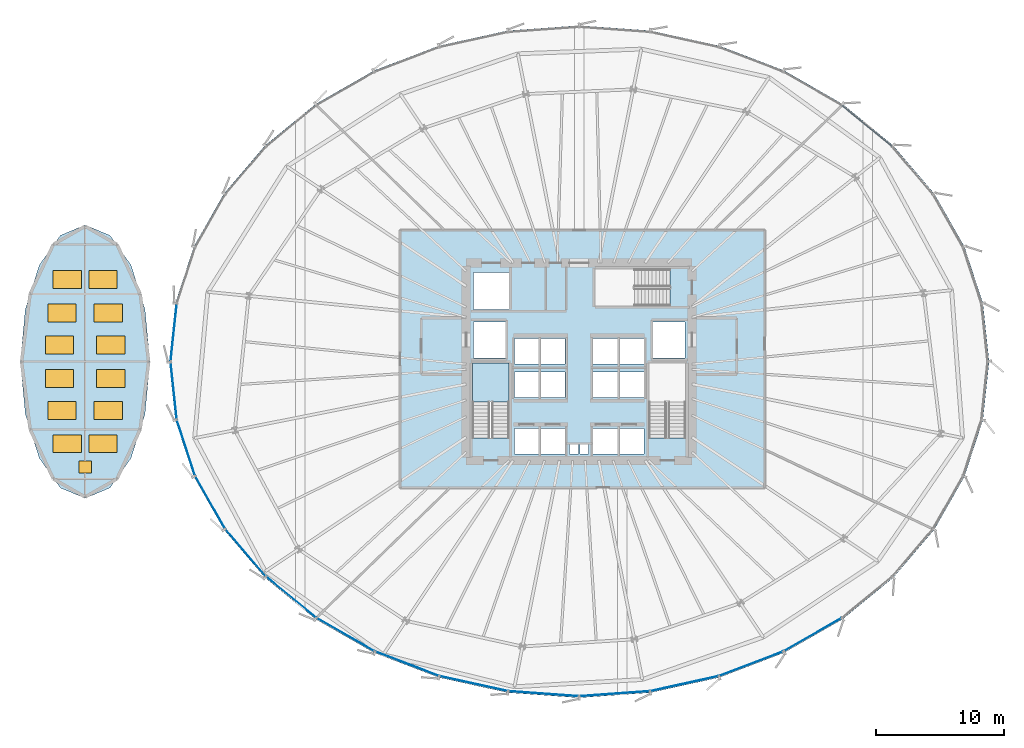
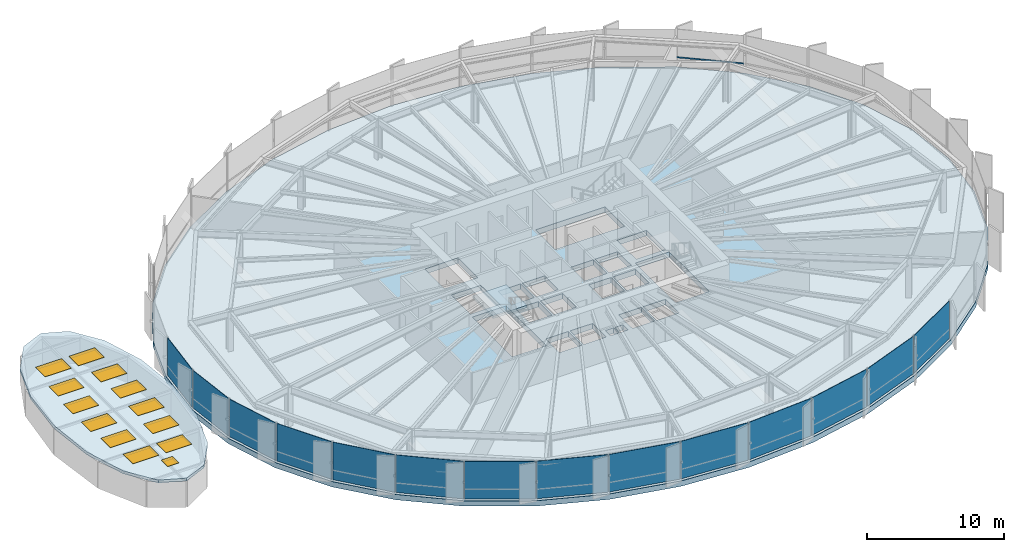
# One storey, part 26 of 38: 14 plates, 12 windows, 3 slabs, 1 door, 1 member, 13 openings, 6 elements without a shape of their own.
"""IFC4 building model written with IfcOpenShell, lengths in metres."""

from ifc_helpers import new_model, si_unit, direction, frame, origin, origin_2d, place, context, subcontext, project, spatial, polyline, rectangle, hollow_rectangle, outline, extrude, source, transform, mapped, material, layer, layer_set, material_profile, profile_set, type_object, element, fill, aggregate, save


model = new_model("IFC4")

# Units and contexts
model_context = context("Model", 3, precision=1e-05, world=origin(), true_north=direction((0.0, 1.0)))
body_context = subcontext(model_context, "Body", "Model", "MODEL_VIEW")
ifc_project = project(units=[si_unit("LENGTHUNIT", "METRE"), si_unit("AREAUNIT", "SQUARE_METRE"), si_unit("VOLUMEUNIT", "CUBIC_METRE"), si_unit("PLANEANGLEUNIT", "RADIAN"), si_unit("MASSUNIT", "GRAM", prefix="KILO"), si_unit("THERMODYNAMICTEMPERATUREUNIT", "KELVIN")], contexts=[model_context])

# Site, building, storey
site_placement = place(None, origin())
site = spatial("IfcSite", under=ifc_project, at=site_placement, CompositionType="ELEMENT")
building_placement = place(site_placement, origin())
building = spatial("IfcBuilding", under=site, at=building_placement, Name="Kethvar Cultural Tower", CompositionType="ELEMENT")
storey_placement = place(building_placement, frame((0.0, 0.0, 29.60009765625)))
storey = spatial("IfcBuildingStorey", under=building, at=storey_placement, Name="L06", CompositionType="ELEMENT", Elevation=29.60009765625)

# Curtain wall, member
ifc_material_1 = material(Name="Aluminium 6063-T6", Category="aluminium")
ifc_layer_1 = layer(ifc_material_1, 0.179931640625, Name="Aluminium 6063-T6", Category="aluminium")
ifc_layer_set_1 = layer_set([ifc_layer_1], Name="Aluminium 6063-T6 (180 mm)")
curtain_wall_type = type_object("IfcCurtainWallType", Name="CW-SYS-02-Z1", PredefinedType="NOTDEFINED", material=ifc_layer_set_1)
curtain_wall_1_placement = place(storey_placement, origin())
curtain_wall_1 = element("IfcCurtainWall", 1, at=curtain_wall_1_placement, inside=storey, type_object=curtain_wall_type, Name="L06 Curtain Wall Run 01", PredefinedType="NOTDEFINED")
ifc_material_profile = material_profile(ifc_material_1, hollow_rectangle(XDim=0.054931640625, YDim=0.1201171875, WallThickness=0.00390625, at=origin_2d()), Name="Aluminium 6063-T6 — RHS120x55x4")
ifc_profile_set = profile_set([ifc_material_profile], Name="Aluminium 6063-T6 — RHS120x55x4")
member_type = type_object("IfcMemberType", Name="CW-SYS-02-Z1-TRN", PredefinedType="USERDEFINED", material=ifc_profile_set)
shared_shape_1 = source(origin(), body_context, "Body", "SweptSolid", [
    extrude(hollow_rectangle(XDim=0.054931640625, YDim=0.1201171875, WallThickness=0.00390625, at=origin_2d()), origin(), (0.0, 0.0, 1.0), 5.0),
])
member_placement = place(storey_placement, frame((71.17041015625, 44.577880859375, 0.949951171875), z_axis=(-0.773343439158, 0.633987322517, 0.0), x_axis=(-0.633987322517, -0.773343439158, 0.0)))
member = element("IfcMember", 2, at=member_placement, type_object=member_type, Name="CW-L06-R01 Transom 5", ObjectType="TRANSOM", PredefinedType="USERDEFINED", context=body_context, shape_type="MappedRepresentation", body=[
    mapped(shared_shape_1, transform((0.0, 0.0, 0.0), scale=1.0)),
])
aggregate(curtain_wall_1, [member])

# Slab, openings, door, windows
ifc_material_2 = material(Name="Concrete C40/50", Category="concrete")
ifc_layer_2 = layer(ifc_material_2, 0.47998046875, Name="Concrete C40/50", Category="concrete")
ifc_layer_set_2 = layer_set([ifc_layer_2], Name="Concrete C40/50 (480 mm)")
slab_type_1 = type_object("IfcSlabType", Name="SL-ROOF-POD", PredefinedType="ROOF", material=ifc_layer_set_2)
slab_1_placement = place(storey_placement, frame((0.0, 0.0, 2.349853515625)))
slab_1 = element("IfcSlab", 3, at=slab_1_placement, inside=storey, type_object=slab_type_1, Name="Podium Atrium Lantern Roof Slab", PredefinedType="ROOF", context=body_context, shape_type="SweptSolid", body=[
    extrude(outline(polyline([(13.35009765625, 27.800048828125), (12.965576171875, 31.87548828125), (11.870849609375, 35.330810546875), (10.232666015625, 37.639404296875), (8.300048828125, 38.449951171875), (6.367431640625, 37.639404296875), (4.72900390625, 35.330810546875), (3.634521484375, 31.87548828125), (3.25, 27.800048828125), (3.634521484375, 23.724365234375), (4.72900390625, 20.269287109375), (6.367431640625, 17.960693359375), (8.300048828125, 17.14990234375), (10.232666015625, 17.960693359375), (11.870849609375, 20.269287109375), (12.965576171875, 23.724365234375), (13.35009765625, 27.800048828125)])), origin(), (0.0, 0.0, 1.0), 0.255126953125),
])
opening_1_placement = place(slab_1_placement, frame((6.89990234375, 21.39990234375, -0.010009765625)))
opening_1 = element("IfcOpeningElement", 4, at=opening_1_placement, cuts=slab_1, Name="Opening SK-01", PredefinedType="OPENING", context=body_context, shape_type="SweptSolid", body=[
    extrude(rectangle(XDim=2.199951171875, YDim=1.39990234375, at=origin_2d()), origin(), (0.0, 0.0, 1.0), 0.275146484375),
])
opening_2_placement = place(slab_1_placement, frame((9.699951171875, 21.39990234375, -0.010009765625)))
opening_2 = element("IfcOpeningElement", 5, at=opening_2_placement, cuts=slab_1, Name="Opening SK-01", PredefinedType="OPENING", context=body_context, shape_type="SweptSolid", body=[
    extrude(rectangle(XDim=2.199951171875, YDim=1.39990234375, at=origin_2d()), origin(), (0.0, 0.0, 1.0), 0.275146484375),
])
opening_3_placement = place(slab_1_placement, frame((6.5, 24.0, -0.010009765625)))
opening_3 = element("IfcOpeningElement", 6, at=opening_3_placement, cuts=slab_1, Name="Opening SK-01", PredefinedType="OPENING", context=body_context, shape_type="SweptSolid", body=[
    extrude(rectangle(XDim=2.199951171875, YDim=1.39990234375, at=origin_2d()), origin(), (0.0, 0.0, 1.0), 0.275146484375),
])
opening_4_placement = place(slab_1_placement, frame((10.10009765625, 24.0, -0.010009765625)))
opening_4 = element("IfcOpeningElement", 7, at=opening_4_placement, cuts=slab_1, Name="Opening SK-01", PredefinedType="OPENING", context=body_context, shape_type="SweptSolid", body=[
    extrude(rectangle(XDim=2.199951171875, YDim=1.39990234375, at=origin_2d()), origin(), (0.0, 0.0, 1.0), 0.275146484375),
])
opening_5_placement = place(slab_1_placement, frame((6.300048828125, 26.5, -0.010009765625)))
opening_5 = element("IfcOpeningElement", 8, at=opening_5_placement, cuts=slab_1, Name="Opening SK-01", PredefinedType="OPENING", context=body_context, shape_type="SweptSolid", body=[
    extrude(rectangle(XDim=2.199951171875, YDim=1.39990234375, at=origin_2d()), origin(), (0.0, 0.0, 1.0), 0.275146484375),
])
opening_6_placement = place(slab_1_placement, frame((10.300048828125, 26.5, -0.010009765625)))
opening_6 = element("IfcOpeningElement", 9, at=opening_6_placement, cuts=slab_1, Name="Opening SK-01", PredefinedType="OPENING", context=body_context, shape_type="SweptSolid", body=[
    extrude(rectangle(XDim=2.199951171875, YDim=1.39990234375, at=origin_2d()), origin(), (0.0, 0.0, 1.0), 0.275146484375),
])
opening_7_placement = place(slab_1_placement, frame((6.300048828125, 29.10009765625, -0.010009765625)))
opening_7 = element("IfcOpeningElement", 10, at=opening_7_placement, cuts=slab_1, Name="Opening SK-01", PredefinedType="OPENING", context=body_context, shape_type="SweptSolid", body=[
    extrude(rectangle(XDim=2.199951171875, YDim=1.39990234375, at=origin_2d()), origin(), (0.0, 0.0, 1.0), 0.275146484375),
])
opening_8_placement = place(slab_1_placement, frame((10.300048828125, 29.10009765625, -0.010009765625)))
opening_8 = element("IfcOpeningElement", 11, at=opening_8_placement, cuts=slab_1, Name="Opening SK-01", PredefinedType="OPENING", context=body_context, shape_type="SweptSolid", body=[
    extrude(rectangle(XDim=2.199951171875, YDim=1.39990234375, at=origin_2d()), origin(), (0.0, 0.0, 1.0), 0.275146484375),
])
opening_9_placement = place(slab_1_placement, frame((6.5, 31.60009765625, -0.010009765625)))
opening_9 = element("IfcOpeningElement", 12, at=opening_9_placement, cuts=slab_1, Name="Opening SK-01", PredefinedType="OPENING", context=body_context, shape_type="SweptSolid", body=[
    extrude(rectangle(XDim=2.199951171875, YDim=1.39990234375, at=origin_2d()), origin(), (0.0, 0.0, 1.0), 0.275146484375),
])
opening_10_placement = place(slab_1_placement, frame((10.10009765625, 31.60009765625, -0.010009765625)))
opening_10 = element("IfcOpeningElement", 13, at=opening_10_placement, cuts=slab_1, Name="Opening SK-01", PredefinedType="OPENING", context=body_context, shape_type="SweptSolid", body=[
    extrude(rectangle(XDim=2.199951171875, YDim=1.39990234375, at=origin_2d()), origin(), (0.0, 0.0, 1.0), 0.275146484375),
])
opening_11_placement = place(slab_1_placement, frame((6.89990234375, 34.199951171875, -0.010009765625)))
opening_11 = element("IfcOpeningElement", 14, at=opening_11_placement, cuts=slab_1, Name="Opening SK-01", PredefinedType="OPENING", context=body_context, shape_type="SweptSolid", body=[
    extrude(rectangle(XDim=2.199951171875, YDim=1.39990234375, at=origin_2d()), origin(), (0.0, 0.0, 1.0), 0.275146484375),
])
opening_12_placement = place(slab_1_placement, frame((9.699951171875, 34.199951171875, -0.010009765625)))
opening_12 = element("IfcOpeningElement", 15, at=opening_12_placement, cuts=slab_1, Name="Opening SK-01", PredefinedType="OPENING", context=body_context, shape_type="SweptSolid", body=[
    extrude(rectangle(XDim=2.199951171875, YDim=1.39990234375, at=origin_2d()), origin(), (0.0, 0.0, 1.0), 0.275146484375),
])
opening_13_placement = place(slab_1_placement, frame((8.300048828125, 19.60009765625, -0.010009765625)))
opening_13 = element("IfcOpeningElement", 16, at=opening_13_placement, cuts=slab_1, Name="Opening RH-04", PredefinedType="OPENING", context=body_context, shape_type="SweptSolid", body=[
    extrude(rectangle(XDim=0.949951171875, YDim=0.949951171875, at=origin_2d()), origin(), (0.0, 0.0, 1.0), 0.275146484375),
])
ifc_material_3 = material(Name="Steel S355J2", Category="steel")
door_type = type_object("IfcDoorType", Name="DR-TRAP-ROOF", OperationType="SINGLE_SWING_LEFT", PredefinedType="TRAPDOOR", material=ifc_material_3)
door_placement = place(slab_1_placement, frame((8.300048828125, 19.60009765625, 0.195068359375)))
door = element("IfcDoor", 17, at=door_placement, inside=storey, type_object=door_type, Name="Atrium Lantern Roof Access Hatch RH-04", OperationType="SINGLE_SWING_LEFT", OverallHeight=0.949951171875, OverallWidth=0.949951171875, PredefinedType="TRAPDOOR", context=body_context, shape_type="SweptSolid", body=[
    extrude(rectangle(XDim=0.949951171875, YDim=0.949951171875, at=origin_2d()), origin(), (0.0, 0.0, 1.0), 0.06005859375),
])
fill(opening_13, door)
ifc_material_4 = material(Name="Insulated Laminated Skylight Glass", Category="glass")
window_type = type_object("IfcWindowType", Name="WN-SKYLIGHT-2400", PartitioningType="SINGLE_PANEL", PredefinedType="SKYLIGHT", material=ifc_material_4)
window_1_placement = place(slab_1_placement, frame((6.89990234375, 21.39990234375, 0.195068359375)))
window_1 = element("IfcWindow", 18, at=window_1_placement, inside=storey, type_object=window_type, Name="Podium Atrium Skylight SK-01", OverallHeight=1.39990234375, OverallWidth=2.199951171875, PartitioningType="SINGLE_PANEL", PredefinedType="SKYLIGHT", context=body_context, shape_type="SweptSolid", body=[
    extrude(rectangle(XDim=2.199951171875, YDim=1.39990234375, at=origin_2d()), origin(), (0.0, 0.0, 1.0), 0.06005859375),
])
fill(opening_1, window_1)
window_2_placement = place(slab_1_placement, frame((9.699951171875, 21.39990234375, 0.195068359375)))
window_2 = element("IfcWindow", 19, at=window_2_placement, inside=storey, type_object=window_type, Name="Podium Atrium Skylight SK-02", OverallHeight=1.39990234375, OverallWidth=2.199951171875, PartitioningType="SINGLE_PANEL", PredefinedType="SKYLIGHT", context=body_context, shape_type="SweptSolid", body=[
    extrude(rectangle(XDim=2.199951171875, YDim=1.39990234375, at=origin_2d()), origin(), (0.0, 0.0, 1.0), 0.06005859375),
])
fill(opening_2, window_2)
window_3_placement = place(slab_1_placement, frame((6.5, 24.0, 0.195068359375)))
window_3 = element("IfcWindow", 20, at=window_3_placement, inside=storey, type_object=window_type, Name="Podium Atrium Skylight SK-03", OverallHeight=1.39990234375, OverallWidth=2.199951171875, PartitioningType="SINGLE_PANEL", PredefinedType="SKYLIGHT", context=body_context, shape_type="SweptSolid", body=[
    extrude(rectangle(XDim=2.199951171875, YDim=1.39990234375, at=origin_2d()), origin(), (0.0, 0.0, 1.0), 0.06005859375),
])
fill(opening_3, window_3)
window_4_placement = place(slab_1_placement, frame((10.10009765625, 24.0, 0.195068359375)))
window_4 = element("IfcWindow", 21, at=window_4_placement, inside=storey, type_object=window_type, Name="Podium Atrium Skylight SK-04", OverallHeight=1.39990234375, OverallWidth=2.199951171875, PartitioningType="SINGLE_PANEL", PredefinedType="SKYLIGHT", context=body_context, shape_type="SweptSolid", body=[
    extrude(rectangle(XDim=2.199951171875, YDim=1.39990234375, at=origin_2d()), origin(), (0.0, 0.0, 1.0), 0.06005859375),
])
fill(opening_4, window_4)
window_5_placement = place(slab_1_placement, frame((6.300048828125, 26.5, 0.195068359375)))
window_5 = element("IfcWindow", 22, at=window_5_placement, inside=storey, type_object=window_type, Name="Podium Atrium Skylight SK-05", OverallHeight=1.39990234375, OverallWidth=2.199951171875, PartitioningType="SINGLE_PANEL", PredefinedType="SKYLIGHT", context=body_context, shape_type="SweptSolid", body=[
    extrude(rectangle(XDim=2.199951171875, YDim=1.39990234375, at=origin_2d()), origin(), (0.0, 0.0, 1.0), 0.06005859375),
])
fill(opening_5, window_5)
window_6_placement = place(slab_1_placement, frame((10.300048828125, 26.5, 0.195068359375)))
window_6 = element("IfcWindow", 23, at=window_6_placement, inside=storey, type_object=window_type, Name="Podium Atrium Skylight SK-06", OverallHeight=1.39990234375, OverallWidth=2.199951171875, PartitioningType="SINGLE_PANEL", PredefinedType="SKYLIGHT", context=body_context, shape_type="SweptSolid", body=[
    extrude(rectangle(XDim=2.199951171875, YDim=1.39990234375, at=origin_2d()), origin(), (0.0, 0.0, 1.0), 0.06005859375),
])
fill(opening_6, window_6)
window_7_placement = place(slab_1_placement, frame((6.300048828125, 29.10009765625, 0.195068359375)))
window_7 = element("IfcWindow", 24, at=window_7_placement, inside=storey, type_object=window_type, Name="Podium Atrium Skylight SK-07", OverallHeight=1.39990234375, OverallWidth=2.199951171875, PartitioningType="SINGLE_PANEL", PredefinedType="SKYLIGHT", context=body_context, shape_type="SweptSolid", body=[
    extrude(rectangle(XDim=2.199951171875, YDim=1.39990234375, at=origin_2d()), origin(), (0.0, 0.0, 1.0), 0.06005859375),
])
fill(opening_7, window_7)
window_8_placement = place(slab_1_placement, frame((10.300048828125, 29.10009765625, 0.195068359375)))
window_8 = element("IfcWindow", 25, at=window_8_placement, inside=storey, type_object=window_type, Name="Podium Atrium Skylight SK-08", OverallHeight=1.39990234375, OverallWidth=2.199951171875, PartitioningType="SINGLE_PANEL", PredefinedType="SKYLIGHT", context=body_context, shape_type="SweptSolid", body=[
    extrude(rectangle(XDim=2.199951171875, YDim=1.39990234375, at=origin_2d()), origin(), (0.0, 0.0, 1.0), 0.06005859375),
])
fill(opening_8, window_8)
window_9_placement = place(slab_1_placement, frame((6.5, 31.60009765625, 0.195068359375)))
window_9 = element("IfcWindow", 26, at=window_9_placement, inside=storey, type_object=window_type, Name="Podium Atrium Skylight SK-09", OverallHeight=1.39990234375, OverallWidth=2.199951171875, PartitioningType="SINGLE_PANEL", PredefinedType="SKYLIGHT", context=body_context, shape_type="SweptSolid", body=[
    extrude(rectangle(XDim=2.199951171875, YDim=1.39990234375, at=origin_2d()), origin(), (0.0, 0.0, 1.0), 0.06005859375),
])
fill(opening_9, window_9)
window_10_placement = place(slab_1_placement, frame((10.10009765625, 31.60009765625, 0.195068359375)))
window_10 = element("IfcWindow", 27, at=window_10_placement, inside=storey, type_object=window_type, Name="Podium Atrium Skylight SK-10", OverallHeight=1.39990234375, OverallWidth=2.199951171875, PartitioningType="SINGLE_PANEL", PredefinedType="SKYLIGHT", context=body_context, shape_type="SweptSolid", body=[
    extrude(rectangle(XDim=2.199951171875, YDim=1.39990234375, at=origin_2d()), origin(), (0.0, 0.0, 1.0), 0.06005859375),
])
fill(opening_10, window_10)
window_11_placement = place(slab_1_placement, frame((6.89990234375, 34.199951171875, 0.195068359375)))
window_11 = element("IfcWindow", 28, at=window_11_placement, inside=storey, type_object=window_type, Name="Podium Atrium Skylight SK-11", OverallHeight=1.39990234375, OverallWidth=2.199951171875, PartitioningType="SINGLE_PANEL", PredefinedType="SKYLIGHT", context=body_context, shape_type="SweptSolid", body=[
    extrude(rectangle(XDim=2.199951171875, YDim=1.39990234375, at=origin_2d()), origin(), (0.0, 0.0, 1.0), 0.06005859375),
])
fill(opening_11, window_11)
window_12_placement = place(slab_1_placement, frame((9.699951171875, 34.199951171875, 0.195068359375)))
window_12 = element("IfcWindow", 29, at=window_12_placement, inside=storey, type_object=window_type, Name="Podium Atrium Skylight SK-12", OverallHeight=1.39990234375, OverallWidth=2.199951171875, PartitioningType="SINGLE_PANEL", PredefinedType="SKYLIGHT", context=body_context, shape_type="SweptSolid", body=[
    extrude(rectangle(XDim=2.199951171875, YDim=1.39990234375, at=origin_2d()), origin(), (0.0, 0.0, 1.0), 0.06005859375),
])
fill(opening_12, window_12)

# Stair, slab
stair_type = type_object("IfcStairType", Name="ST-DOGLEG-135", PredefinedType="HALF_TURN_STAIR", material=ifc_material_2)
stair_placement = place(storey_placement, origin())
stair = element("IfcStair", 30, at=stair_placement, inside=storey, type_object=stair_type, Name="L06 Core Exit Stair 1", PredefinedType="HALF_TURN_STAIR")
ifc_layer_3 = layer(ifc_material_2, 0.199951171875, Name="Concrete C40/50", Category="concrete")
ifc_layer_set_3 = layer_set([ifc_layer_3], Name="Concrete C40/50 (200 mm)")
slab_type_2 = type_object("IfcSlabType", Name="SL-STAIR-LANDING-200", PredefinedType="LANDING", material=ifc_layer_set_3)
slab_2_placement = place(storey_placement, frame((0.0, 0.0, 1.699951171875)))
slab_2 = element("IfcSlab", 31, at=slab_2_placement, type_object=slab_type_2, Name="ST-01 landing 1", PredefinedType="LANDING", context=body_context, shape_type="SweptSolid", body=[
    extrude(outline(polyline([(41.35009765625, 24.64990234375), (41.35009765625, 27.699951171875), (38.489990234375, 27.699951171875), (38.489990234375, 24.64990234375), (41.35009765625, 24.64990234375)])), origin(), (0.0, 0.0, 1.0), 0.199951171875),
])
aggregate(stair, [slab_2])

# Slab
ifc_material_5 = material(Name="Concrete C50/60", Category="concrete")
ifc_layer_4 = layer(ifc_material_5, 0.47998046875, Name="Concrete C50/60", Category="concrete")
ifc_layer_set_4 = layer_set([ifc_layer_4], Name="Concrete C50/60 (480 mm)")
slab_type_3 = type_object("IfcSlabType", Name="SL-TRANS-480", PredefinedType="FLOOR", material=ifc_layer_set_4)
slab_3_placement = place(storey_placement, frame((0.0, 0.0, -0.47998046875)))
element("IfcSlab", 32, at=slab_3_placement, inside=storey, type_object=slab_type_3, Name="L06 Structural Floor Slab", PredefinedType="FLOOR", context=body_context, shape_type="SweptSolid", body=[
    extrude(outline(polyline([(78.760009765625, 27.800048828125), (78.2744140625, 32.349609375), (76.83251953125, 36.760986328125), (74.478271484375, 40.89990234375), (71.28271484375, 44.64111328125), (67.343505859375, 47.870361328125), (62.780029296875, 50.489990234375), (57.73095703125, 52.419921875), (52.349853515625, 53.60205078125), (46.800048828125, 54.0), (41.250244140625, 53.60205078125), (35.868896484375, 52.419921875), (30.820068359375, 50.489990234375), (26.256591796875, 47.870361328125), (22.317138671875, 44.64111328125), (19.121826171875, 40.89990234375), (16.767333984375, 36.760986328125), (15.325439453125, 32.349609375), (14.840087890625, 27.800048828125), (15.325439453125, 23.25048828125), (16.767333984375, 18.839111328125), (19.121826171875, 14.699951171875), (22.317138671875, 10.958984375), (26.256591796875, 7.7294921875), (30.820068359375, 5.110107421875), (35.868896484375, 3.18017578125), (41.250244140625, 1.998046875), (46.800048828125, 1.60009765625), (52.349853515625, 1.998046875), (57.73095703125, 3.18017578125), (62.780029296875, 5.110107421875), (67.343505859375, 7.7294921875), (71.28271484375, 10.958984375), (74.478271484375, 14.699951171875), (76.83251953125, 18.839111328125), (78.2744140625, 23.25048828125), (78.760009765625, 27.800048828125)]), holes=[polyline([(38.489990234375, 21.85009765625), (38.489990234375, 27.699951171875), (41.35009765625, 27.699951171875), (41.35009765625, 21.85009765625), (38.489990234375, 21.85009765625)]), polyline([(52.25, 21.85009765625), (52.25, 27.699951171875), (55.110107421875, 27.699951171875), (55.110107421875, 21.85009765625), (52.25, 21.85009765625)]), polyline([(53.89990234375, 32.14990234375), (48.050048828125, 32.14990234375), (48.050048828125, 35.010009765625), (53.89990234375, 35.010009765625), (53.89990234375, 32.14990234375)]), polyline([(41.75, 22.60009765625), (43.64990234375, 22.60009765625), (43.64990234375, 20.60009765625), (41.75, 20.60009765625), (41.75, 22.60009765625)]), polyline([(43.800048828125, 22.60009765625), (45.699951171875, 22.60009765625), (45.699951171875, 20.60009765625), (43.800048828125, 20.60009765625), (43.800048828125, 22.60009765625)]), polyline([(47.89990234375, 22.60009765625), (49.800048828125, 22.60009765625), (49.800048828125, 20.60009765625), (47.89990234375, 20.60009765625), (47.89990234375, 22.60009765625)]), polyline([(49.949951171875, 22.60009765625), (51.85009765625, 22.60009765625), (51.85009765625, 20.60009765625), (49.949951171875, 20.60009765625), (49.949951171875, 22.60009765625)]), polyline([(41.75, 27.0), (43.64990234375, 27.0), (43.64990234375, 25.0), (41.75, 25.0), (41.75, 27.0)]), polyline([(43.800048828125, 27.0), (45.699951171875, 27.0), (45.699951171875, 25.0), (43.800048828125, 25.0), (43.800048828125, 27.0)]), polyline([(47.89990234375, 27.0), (49.800048828125, 27.0), (49.800048828125, 25.0), (47.89990234375, 25.0), (47.89990234375, 27.0)]), polyline([(49.949951171875, 27.0), (51.85009765625, 27.0), (51.85009765625, 25.0), (49.949951171875, 25.0), (49.949951171875, 27.0)]), polyline([(41.75, 29.60009765625), (43.64990234375, 29.60009765625), (43.64990234375, 27.60009765625), (41.75, 27.60009765625), (41.75, 29.60009765625)]), polyline([(43.800048828125, 29.60009765625), (45.699951171875, 29.60009765625), (45.699951171875, 27.60009765625), (43.800048828125, 27.60009765625), (43.800048828125, 29.60009765625)]), polyline([(47.89990234375, 29.60009765625), (49.800048828125, 29.60009765625), (49.800048828125, 27.60009765625), (47.89990234375, 27.60009765625), (47.89990234375, 29.60009765625)]), polyline([(49.949951171875, 29.60009765625), (51.85009765625, 29.60009765625), (51.85009765625, 27.60009765625), (49.949951171875, 27.60009765625), (49.949951171875, 29.60009765625)]), polyline([(38.550048828125, 30.89990234375), (41.050048828125, 30.89990234375), (41.050048828125, 28.10009765625), (38.550048828125, 28.10009765625), (38.550048828125, 30.89990234375)]), polyline([(52.550048828125, 30.89990234375), (55.050048828125, 30.89990234375), (55.050048828125, 28.10009765625), (52.550048828125, 28.10009765625), (52.550048828125, 30.89990234375)]), polyline([(38.550048828125, 34.75), (41.35009765625, 34.75), (41.35009765625, 31.85009765625), (38.550048828125, 31.85009765625), (38.550048828125, 34.75)]), polyline([(46.050048828125, 21.35009765625), (46.75, 21.35009765625), (46.75, 20.60009765625), (46.050048828125, 20.60009765625), (46.050048828125, 21.35009765625)]), polyline([(46.85009765625, 21.35009765625), (47.550048828125, 21.35009765625), (47.550048828125, 20.60009765625), (46.85009765625, 20.60009765625), (46.85009765625, 21.35009765625)])]), origin(), (0.0, 0.0, 1.0), 0.47998046875),
])

# Curtain wall, plate
curtain_wall_2_placement = place(storey_placement, origin())
curtain_wall_2 = element("IfcCurtainWall", 33, at=curtain_wall_2_placement, inside=storey, type_object=curtain_wall_type, Name="L06 Curtain Wall Run 03", PredefinedType="NOTDEFINED")
ifc_material_6 = material(Name="Insulated Low-E Solar Glass", Category="glass")
ifc_layer_5 = layer(ifc_material_6, 0.031982421875, Name="Insulated Low-E Solar Glass", Category="glass")
ifc_layer_set_5 = layer_set([ifc_layer_5], Name="Insulated Low-E Solar Glass (32 mm)")
plate_type = type_object("IfcPlateType", Name="CW-SYS-02-Z1-PNL", PredefinedType="CURTAIN_PANEL", material=ifc_layer_set_5)
shared_shape_2 = source(origin(), body_context, "Body", "SweptSolid", [
    extrude(rectangle(XDim=4.481689453125, YDim=0.031982421875, at=origin_2d()), origin(), (0.0, 0.0, 1.0), 3.35009765625),
])
plate_1_placement = place(storey_placement, frame((15.2021484375, 30.06201171875, 0.099853515625), z_axis=(0.0, 0.0, 1.0), x_axis=(-0.106107879787, -0.994354623787, 0.0)))
plate_1 = element("IfcPlate", 34, at=plate_1_placement, type_object=plate_type, Name="CW-L06-R03 Vision Glazing Panel 6", PredefinedType="CURTAIN_PANEL", context=body_context, shape_type="MappedRepresentation", body=[
    mapped(shared_shape_2, transform((0.0, 0.0, 0.0), scale=1.0)),
])
aggregate(curtain_wall_2, [plate_1])

# Curtain wall, plates
curtain_wall_3_placement = place(storey_placement, origin())
curtain_wall_3 = element("IfcCurtainWall", 35, at=curtain_wall_3_placement, inside=storey, type_object=curtain_wall_type, Name="L06 Curtain Wall Run 04", PredefinedType="NOTDEFINED")
plate_2_placement = place(storey_placement, frame((15.2021484375, 25.5380859375, 0.099853515625), z_axis=(0.0, 0.0, 1.0), x_axis=(0.106107879787, -0.994354623787, 0.0)))
plate_2 = element("IfcPlate", 36, at=plate_2_placement, type_object=plate_type, Name="CW-L06-R04 Vision Glazing Panel 1", PredefinedType="CURTAIN_PANEL", context=body_context, shape_type="MappedRepresentation", body=[
    mapped(shared_shape_2, transform((0.0, 0.0, 0.0), scale=1.0)),
])
shared_shape_3 = source(origin(), body_context, "Body", "SweptSolid", [
    extrude(rectangle(XDim=4.54736328125, YDim=0.031982421875, at=origin_2d()), origin(), (0.0, 0.0, 1.0), 3.35009765625),
])
plate_3_placement = place(storey_placement, frame((16.160400390625, 21.08203125, 0.099853515625), z_axis=(0.0, 0.0, 1.0), x_axis=(0.310693019213, -0.950510309156, 0.0)))
plate_3 = element("IfcPlate", 37, at=plate_3_placement, type_object=plate_type, Name="CW-L06-R04 Vision Glazing Panel 2", PredefinedType="CURTAIN_PANEL", context=body_context, shape_type="MappedRepresentation", body=[
    mapped(shared_shape_3, transform((0.0, 0.0, 0.0), scale=1.0)),
])
shared_shape_4 = source(origin(), body_context, "Body", "SweptSolid", [
    extrude(rectangle(XDim=4.66845703125, YDim=0.031982421875, at=origin_2d()), origin(), (0.0, 0.0, 1.0), 3.35009765625),
])
plate_4_placement = place(storey_placement, frame((18.048828125, 16.828857421875, 0.099853515625), z_axis=(0.0, 0.0, 1.0), x_axis=(0.494427407101, -0.869218924729, 0.0)))
plate_4 = element("IfcPlate", 38, at=plate_4_placement, type_object=plate_type, Name="CW-L06-R04 Vision Glazing Panel 3", PredefinedType="CURTAIN_PANEL", context=body_context, shape_type="MappedRepresentation", body=[
    mapped(shared_shape_4, transform((0.0, 0.0, 0.0), scale=1.0)),
])
shared_shape_5 = source(origin(), body_context, "Body", "SweptSolid", [
    extrude(rectangle(XDim=4.826416015625, YDim=0.031982421875, at=origin_2d()), origin(), (0.0, 0.0, 1.0), 3.35009765625),
])
plate_5_placement = place(storey_placement, frame((20.810791015625, 12.907470703125, 0.099853515625), z_axis=(0.0, 0.0, 1.0), x_axis=(0.649487862203, -0.760371959537, 0.0)))
plate_5 = element("IfcPlate", 39, at=plate_5_placement, type_object=plate_type, Name="CW-L06-R04 Vision Glazing Panel 4", PredefinedType="CURTAIN_PANEL", context=body_context, shape_type="MappedRepresentation", body=[
    mapped(shared_shape_5, transform((0.0, 0.0, 0.0), scale=1.0)),
])
shared_shape_6 = source(origin(), body_context, "Body", "SweptSolid", [
    extrude(rectangle(XDim=5.000244140625, YDim=0.031982421875, at=origin_2d()), origin(), (0.0, 0.0, 1.0), 3.35009765625),
])
plate_6_placement = place(storey_placement, frame((24.36279296875, 9.43701171875, 0.099853515625), z_axis=(0.0, 0.0, 1.0), x_axis=(0.773342514932, -0.633988449894, 0.0)))
plate_6 = element("IfcPlate", 40, at=plate_6_placement, type_object=plate_type, Name="CW-L06-R04 Vision Glazing Panel 5", PredefinedType="CURTAIN_PANEL", context=body_context, shape_type="MappedRepresentation", body=[
    mapped(shared_shape_6, transform((0.0, 0.0, 0.0), scale=1.0)),
])
shared_shape_7 = source(origin(), body_context, "Body", "SweptSolid", [
    extrude(rectangle(XDim=5.168212890625, YDim=0.031982421875, at=origin_2d()), origin(), (0.0, 0.0, 1.0), 3.35009765625),
])
plate_7_placement = place(storey_placement, frame((28.597900390625, 6.52392578125, 0.099853515625), z_axis=(0.0, 0.0, 1.0), x_axis=(0.867279304379, -0.497821863918, 0.0)))
plate_7 = element("IfcPlate", 41, at=plate_7_placement, type_object=plate_type, Name="CW-L06-R04 Vision Glazing Panel 6", PredefinedType="CURTAIN_PANEL", context=body_context, shape_type="MappedRepresentation", body=[
    mapped(shared_shape_7, transform((0.0, 0.0, 0.0), scale=1.0)),
])
aggregate(curtain_wall_3, [plate_2, plate_3, plate_4, plate_5, plate_6, plate_7])

# Curtain wall, plate
curtain_wall_4_placement = place(storey_placement, origin())
curtain_wall_4 = element("IfcCurtainWall", 42, at=curtain_wall_4_placement, inside=storey, type_object=curtain_wall_type, Name="L06 Curtain Wall Run 06", PredefinedType="NOTDEFINED")
plate_8_placement = place(storey_placement, frame((65.001953125, 6.52392578125, 0.099853515625), z_axis=(0.0, 0.0, 1.0), x_axis=(0.867279304379, 0.497821863918, 0.0)))
plate_8 = element("IfcPlate", 43, at=plate_8_placement, type_object=plate_type, Name="CW-L06-R06 Vision Glazing Panel 1", PredefinedType="CURTAIN_PANEL", context=body_context, shape_type="MappedRepresentation", body=[
    mapped(shared_shape_7, transform((0.0, 0.0, 0.0), scale=1.0)),
])
aggregate(curtain_wall_4, [plate_8])

# Curtain wall, plates
curtain_wall_5_placement = place(storey_placement, origin())
curtain_wall_5 = element("IfcCurtainWall", 44, at=curtain_wall_5_placement, inside=storey, type_object=curtain_wall_type, Name="L06 Curtain Wall Run 05", PredefinedType="NOTDEFINED")
shared_shape_8 = source(origin(), body_context, "Body", "SweptSolid", [
    extrude(rectangle(XDim=5.3115234375, YDim=0.031982421875, at=origin_2d()), origin(), (0.0, 0.0, 1.0), 3.35009765625),
])
plate_9_placement = place(storey_placement, frame((33.38720703125, 4.257080078125, 0.099853515625), z_axis=(0.0, 0.0, 1.0), x_axis=(0.934079892355, -0.357064076459, 0.0)))
plate_9 = element("IfcPlate", 45, at=plate_9_placement, type_object=plate_type, Name="CW-L06-R05 Vision Glazing Panel 1", PredefinedType="CURTAIN_PANEL", context=body_context, shape_type="MappedRepresentation", body=[
    mapped(shared_shape_8, transform((0.0, 0.0, 0.0), scale=1.0)),
])
plate_10_placement = place(storey_placement, frame((60.212646484375, 4.257080078125, 0.099853515625), z_axis=(0.0, 0.0, 1.0), x_axis=(0.934079892355, 0.357064076459, 0.0)))
plate_10 = element("IfcPlate", 46, at=plate_10_placement, type_object=plate_type, Name="CW-L06-R05 Vision Glazing Panel 6", PredefinedType="CURTAIN_PANEL", context=body_context, shape_type="MappedRepresentation", body=[
    mapped(shared_shape_8, transform((0.0, 0.0, 0.0), scale=1.0)),
])
shared_shape_9 = source(origin(), body_context, "Body", "SweptSolid", [
    extrude(rectangle(XDim=5.415771484375, YDim=0.031982421875, at=origin_2d()), origin(), (0.0, 0.0, 1.0), 3.35009765625),
])
plate_11_placement = place(storey_placement, frame((38.58544921875, 2.706298828125, 0.099853515625), z_axis=(0.0, 0.0, 1.0), x_axis=(0.976709741843, -0.214564862428, 0.0)))
plate_11 = element("IfcPlate", 47, at=plate_11_placement, type_object=plate_type, Name="CW-L06-R05 Vision Glazing Panel 2", PredefinedType="CURTAIN_PANEL", context=body_context, shape_type="MappedRepresentation", body=[
    mapped(shared_shape_9, transform((0.0, 0.0, 0.0), scale=1.0)),
])
plate_12_placement = place(storey_placement, frame((55.0146484375, 2.706298828125, 0.099853515625), z_axis=(0.0, 0.0, 1.0), x_axis=(0.976709741843, 0.214564862428, 0.0)))
plate_12 = element("IfcPlate", 48, at=plate_12_placement, type_object=plate_type, Name="CW-L06-R05 Vision Glazing Panel 5", PredefinedType="CURTAIN_PANEL", context=body_context, shape_type="MappedRepresentation", body=[
    mapped(shared_shape_9, transform((0.0, 0.0, 0.0), scale=1.0)),
])
shared_shape_10 = source(origin(), body_context, "Body", "SweptSolid", [
    extrude(rectangle(XDim=5.470458984375, YDim=0.031982421875, at=origin_2d()), origin(), (0.0, 0.0, 1.0), 3.35009765625),
])
plate_13_placement = place(storey_placement, frame((44.03369140625, 1.918701171875, 0.099853515625), z_axis=(0.0, 0.0, 1.0), x_axis=(0.997438286592, -0.071532261541, 0.0)))
plate_13 = element("IfcPlate", 49, at=plate_13_placement, type_object=plate_type, Name="CW-L06-R05 Vision Glazing Panel 3", PredefinedType="CURTAIN_PANEL", context=body_context, shape_type="MappedRepresentation", body=[
    mapped(shared_shape_10, transform((0.0, 0.0, 0.0), scale=1.0)),
])
plate_14_placement = place(storey_placement, frame((49.56640625, 1.918701171875, 0.099853515625), z_axis=(0.0, 0.0, 1.0), x_axis=(0.997438286592, 0.071532261541, 0.0)))
plate_14 = element("IfcPlate", 50, at=plate_14_placement, type_object=plate_type, Name="CW-L06-R05 Vision Glazing Panel 4", PredefinedType="CURTAIN_PANEL", context=body_context, shape_type="MappedRepresentation", body=[
    mapped(shared_shape_10, transform((0.0, 0.0, 0.0), scale=1.0)),
])
aggregate(curtain_wall_5, [plate_9, plate_11, plate_13, plate_14, plate_12, plate_10])

save(model, "model.ifc")
